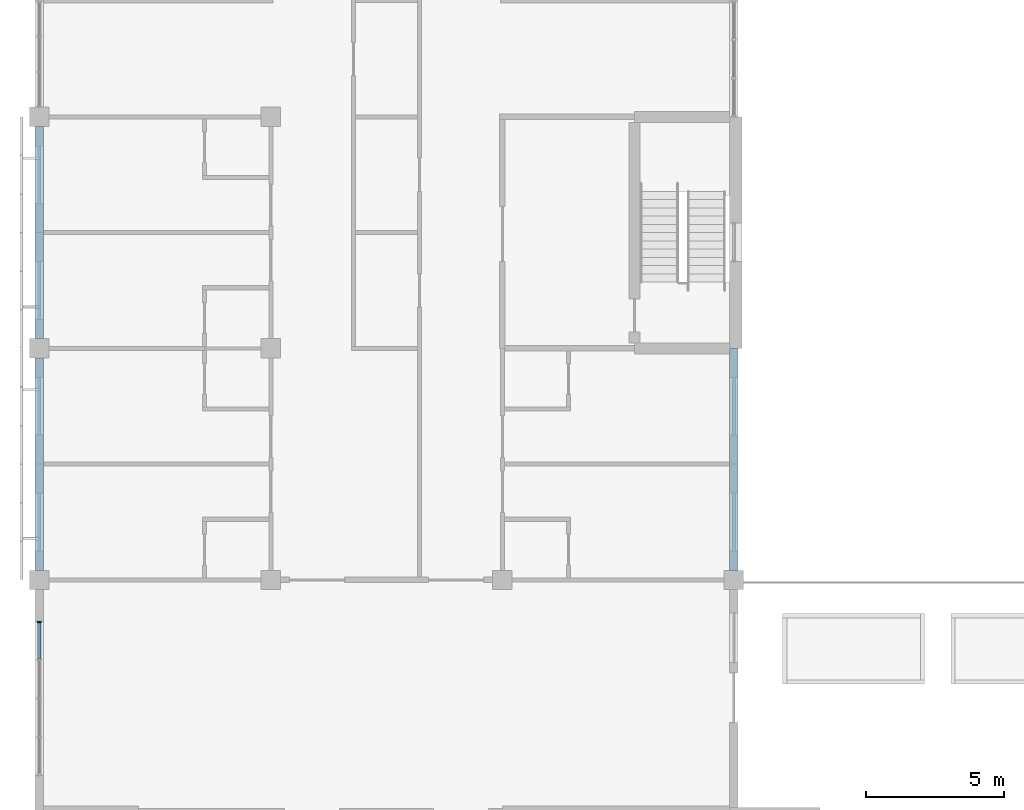
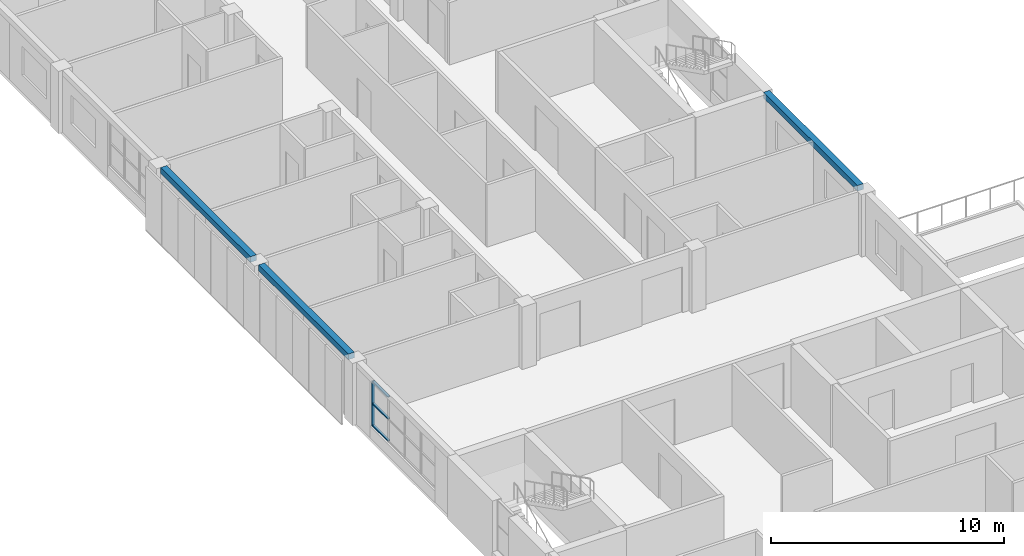
# One storey, part 6 of 61: 4 members, 3 beams, 1 element without a shape of its own.
"""IFC4 building model written with IfcOpenShell, lengths in metres."""

from ifc_helpers import new_model, si_unit, direction, frame, origin, origin_2d, place, context, subcontext, project, spatial, rectangle, extrude, material, material_profile, profile_set, type_object, element, aggregate, save


model = new_model("IFC4")

# Units and contexts
model_context = context("Model", 3, precision=1e-05, world=origin(), true_north=direction((0.0, 1.0)))
body_context = subcontext(model_context, "Body", "Model", "MODEL_VIEW")
ifc_project = project(units=[si_unit("LENGTHUNIT", "METRE"), si_unit("AREAUNIT", "SQUARE_METRE"), si_unit("VOLUMEUNIT", "CUBIC_METRE"), si_unit("PLANEANGLEUNIT", "RADIAN"), si_unit("MASSUNIT", "GRAM", prefix="KILO")], contexts=[model_context])

# Site, building, storey
site_placement = place(None, origin())
site = spatial("IfcSite", under=ifc_project, at=site_placement, CompositionType="ELEMENT")
building_placement = place(site_placement, origin())
building = spatial("IfcBuilding", under=site, at=building_placement, Name="Yavir Park General Hospital", CompositionType="ELEMENT")
storey_placement = place(building_placement, frame((0.0, 0.0, 15.300048828125)))
storey = spatial("IfcBuildingStorey", under=building, at=storey_placement, Name="L03", CompositionType="ELEMENT", Elevation=15.300048828125)

# Curtain wall, members
ifc_material_1 = material(Name="Aluminium curtain wall frame with insulated glazing", Category="aluminium")
curtain_wall_type = type_object("IfcCurtainWallType", Name="Day room pocket glazing, ward floors, 2360 high, 1400 module", PredefinedType="NOTDEFINED", material=ifc_material_1)
curtain_wall_placement = place(storey_placement, origin())
curtain_wall = element("IfcCurtainWall", 1, at=curtain_wall_placement, inside=storey, type_object=curtain_wall_type, Name="CW6 L03-017", PredefinedType="NOTDEFINED")
ifc_material_2 = material(Name="Aluminium", Category="aluminium")
ifc_material_profile_1 = material_profile(ifc_material_2, rectangle(XDim=0.139892578125, YDim=0.06005859375, at=origin_2d()), Name="AL 60x140")
ifc_profile_set_1 = profile_set([ifc_material_profile_1], Name="Aluminium")
member_type_1 = type_object("IfcMemberType", Name="Day room pocket glazing, ward floors, 2360 high mullion 60 x 140", PredefinedType="MULLION", material=ifc_profile_set_1)
member_1_placement = place(storey_placement, frame((0.0, 32.070068359375, 0.599853515625), z_axis=(0.0, 0.0, 1.0), x_axis=(-1.0, 0.0, 0.0)))
member_1 = element("IfcMember", 2, at=member_1_placement, type_object=member_type_1, Name="CW6 mullion 5", PredefinedType="MULLION", context=body_context, shape_type="SweptSolid", body=[
    extrude(rectangle(XDim=0.139892578125, YDim=0.06005859375, at=origin_2d()), origin(), (0.0, 0.0, 1.0), 2.360107421875),
])
ifc_material_3 = material(Name="Aluminium", Category="aluminium")
ifc_material_profile_2 = material_profile(ifc_material_3, rectangle(XDim=0.1201171875, YDim=0.06005859375, at=origin_2d()), Name="AL 120x60")
ifc_profile_set_2 = profile_set([ifc_material_profile_2], Name="Aluminium")
member_type_2 = type_object("IfcMemberType", Name="Day room pocket glazing, ward floors, 2360 high transom 60 x 120", PredefinedType="MULLION", material=ifc_profile_set_2)
member_2_placement = place(storey_placement, frame((0.0, 30.72998046875, 0.6298828125), z_axis=(0.0, 1.0, 0.0), x_axis=(-1.0, 0.0, 0.0)))
member_2 = element("IfcMember", 3, at=member_2_placement, type_object=member_type_2, Name="CW6 transom 4.1", PredefinedType="MULLION", context=body_context, shape_type="SweptSolid", body=[
    extrude(rectangle(XDim=0.1201171875, YDim=0.06005859375, at=origin_2d()), origin(), (0.0, 0.0, 1.0), 1.31005859375),
])
member_3_placement = place(storey_placement, frame((0.0, 30.72998046875, 1.780029296875), z_axis=(0.0, 1.0, 0.0), x_axis=(-1.0, 0.0, 0.0)))
member_3 = element("IfcMember", 4, at=member_3_placement, type_object=member_type_2, Name="CW6 transom 4.2", PredefinedType="MULLION", context=body_context, shape_type="SweptSolid", body=[
    extrude(rectangle(XDim=0.1201171875, YDim=0.06005859375, at=origin_2d()), origin(), (0.0, 0.0, 1.0), 1.31005859375),
])
member_4_placement = place(storey_placement, frame((0.0, 30.72998046875, 2.929931640625), z_axis=(0.0, 1.0, 0.0), x_axis=(-1.0, 0.0, 0.0)))
member_4 = element("IfcMember", 5, at=member_4_placement, type_object=member_type_2, Name="CW6 transom 4.3", PredefinedType="MULLION", context=body_context, shape_type="SweptSolid", body=[
    extrude(rectangle(XDim=0.1201171875, YDim=0.06005859375, at=origin_2d()), origin(), (0.0, 0.0, 1.0), 1.31005859375),
])
aggregate(curtain_wall, [member_1, member_2, member_3, member_4])

# Beams
ifc_material_4 = material(Name="Concrete C35/45", Category="concrete")
ifc_material_profile_3 = material_profile(ifc_material_4, rectangle(XDim=0.300048828125, YDim=0.300048828125, at=origin_2d()), Name="RC300x300")
ifc_profile_set_3 = profile_set([ifc_material_profile_3], Name="Concrete C35/45")
beam_type = type_object("IfcBeamType", Name="RC BEAM 300x300 edge beam", PredefinedType="BEAM", material=ifc_profile_set_3)
for number, where, z_axis, x_axis, name in (
    (6, (0.0, 33.949951171875, 3.10986328125), (0.0, 1.0, 0.0), (-1.0, 0.0, 0.0), "B:EDGE:L03:019"),
    (7, (0.0, 42.35009765625, 3.10986328125), (0.0, 1.0, 0.0), (-1.0, 0.0, 0.0), "B:EDGE:L03:020"),
):
    element("IfcBeam", number, at=place(storey_placement, frame(where, z_axis=z_axis, x_axis=x_axis)), inside=storey, type_object=beam_type, Name=name, PredefinedType="BEAM", context=body_context, shape_type="SweptSolid", body=[
        extrude(rectangle(XDim=0.300048828125, YDim=0.300048828125, at=origin_2d()), origin(), (0.0, 0.0, 1.0), 7.699951171875),
    ])
beam_placement = place(storey_placement, frame((25.199951171875, 33.949951171875, 3.10986328125), z_axis=(0.0, 1.0, 0.0), x_axis=(-1.0, 0.0, 0.0)))
element("IfcBeam", 8, at=beam_placement, inside=storey, type_object=beam_type, Name="B:EDGE:L03:028", PredefinedType="BEAM", context=body_context, shape_type="SweptSolid", body=[
    extrude(rectangle(XDim=0.300048828125, YDim=0.300048828125, at=origin_2d()), origin(), (0.0, 0.0, 1.0), 8.050048828125),
])

save(model, "model.ifc")
